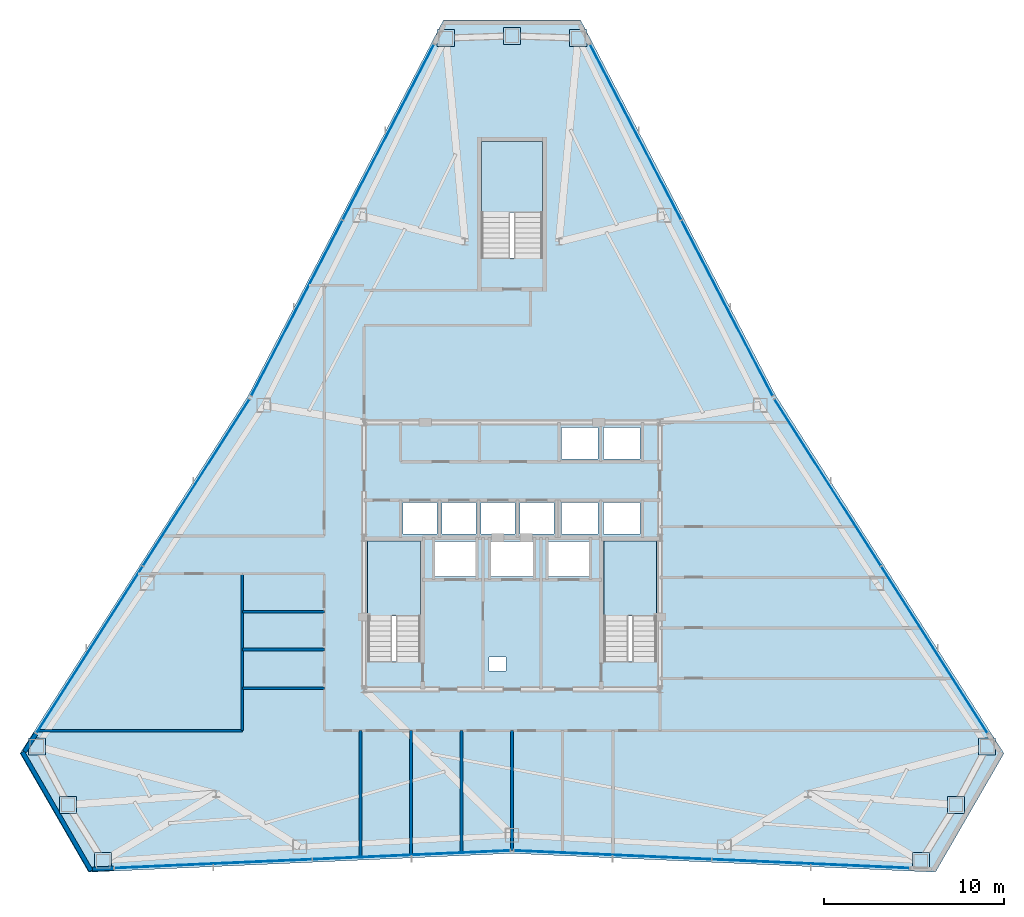
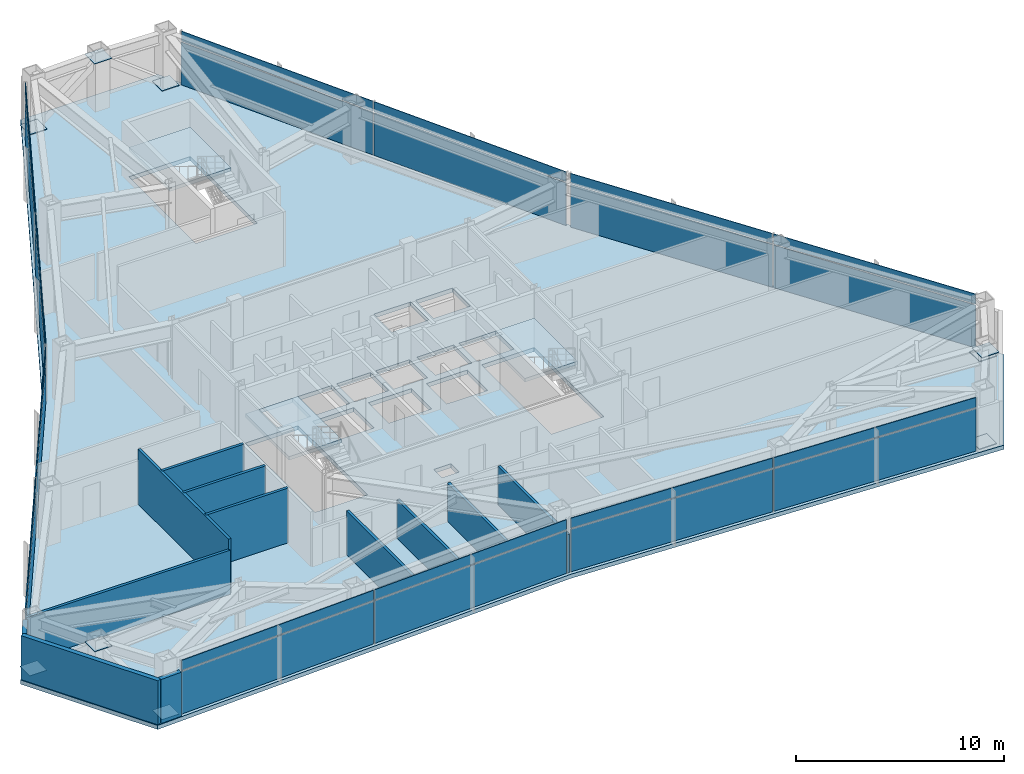
# One storey, part 9 of 13: 33 plates, 12 walls, 4 slabs, 9 elements without a shape of their own.
"""IFC4 building model written with IfcOpenShell, lengths in metres."""

from ifc_helpers import new_model, si_unit, direction, frame, frame_2d, origin, origin_2d, place, context, subcontext, project, spatial, polyline, rectangle, outline, extrude, source, transform, mapped, material, layer, layer_set, type_object, type_shapes, element, aggregate, save


model = new_model("IFC4")

# Units and contexts
model_context = context("Model", 3, precision=1e-05, world=origin(), true_north=direction((0.0, 1.0)))
body_context = subcontext(model_context, "Body", "Model", "MODEL_VIEW")
ifc_project = project(units=[si_unit("LENGTHUNIT", "METRE"), si_unit("AREAUNIT", "SQUARE_METRE"), si_unit("VOLUMEUNIT", "CUBIC_METRE"), si_unit("PLANEANGLEUNIT", "RADIAN"), si_unit("MASSUNIT", "GRAM", prefix="KILO")], contexts=[model_context])

# Site, building, storey
site_placement = place(None, origin())
site = spatial("IfcSite", under=ifc_project, at=site_placement, CompositionType="ELEMENT")
building_placement = place(site_placement, origin())
building = spatial("IfcBuilding", under=site, at=building_placement, Name="Varakhsha Concourse Tower", CompositionType="ELEMENT")
storey_placement = place(building_placement, frame((0.0, 0.0, 182.699951171875)))
storey = spatial("IfcBuildingStorey", under=building, at=storey_placement, Name="L52", CompositionType="ELEMENT", Elevation=182.699951171875)

# Slab
ifc_material_1 = material(Name="Concrete fc 45 MPa", Category="concrete")
ifc_layer_1 = layer(ifc_material_1, 0.239990234375, Name="SL-FLR-240")
ifc_layer_set_1 = layer_set([ifc_layer_1], Name="Concrete fc 45 MPa")
slab_type_1 = type_object("IfcSlabType", Name="SL-FLR-240", PredefinedType="FLOOR", material=ifc_layer_set_1)
slab_1_placement = place(storey_placement, frame((0.0, 0.0, -0.239990234375)))
element("IfcSlab", 1, at=slab_1_placement, inside=storey, type_object=slab_type_1, Name="L52 Composite Structural Slab", PredefinedType="FLOOR", context=body_context, shape_type="SweptSolid", body=[
    extrude(outline(polyline([(43.800048828125, 53.498291015625), (36.199951171875, 53.498291015625), (25.364501953125, 32.649658203125), (12.72705078125, 12.841796875), (16.527099609375, 6.260009765625), (40.0, 7.300537109375), (63.472900390625, 6.260009765625), (67.27294921875, 12.841796875), (54.635498046875, 32.649658203125), (43.800048828125, 53.498291015625)]), holes=[polyline([(34.919921875, 17.93994140625), (34.919921875, 24.6298828125), (32.0, 24.6298828125), (32.0, 17.93994140625), (34.919921875, 17.93994140625)]), polyline([(48.02001953125, 17.93994140625), (48.02001953125, 24.6298828125), (45.10009765625, 24.6298828125), (45.10009765625, 17.93994140625), (48.02001953125, 17.93994140625)]), polyline([(41.699951171875, 40.300048828125), (41.699951171875, 46.75), (38.300048828125, 46.75), (38.300048828125, 40.300048828125), (41.699951171875, 40.300048828125)]), polyline([(33.9599609375, 25.0), (35.840087890625, 25.0), (35.840087890625, 26.739990234375), (33.9599609375, 26.739990234375), (33.9599609375, 25.0)]), polyline([(36.1201171875, 25.0), (38.0, 25.0), (38.0, 26.739990234375), (36.1201171875, 26.739990234375), (36.1201171875, 25.0)]), polyline([(38.280029296875, 25.0), (40.159912109375, 25.0), (40.159912109375, 26.739990234375), (38.280029296875, 26.739990234375), (38.280029296875, 25.0)]), polyline([(40.43994140625, 25.0), (42.320068359375, 25.0), (42.320068359375, 26.739990234375), (40.43994140625, 26.739990234375), (40.43994140625, 25.0)]), polyline([(42.739990234375, 29.159912109375), (44.780029296875, 29.159912109375), (44.780029296875, 30.89990234375), (42.739990234375, 30.89990234375), (42.739990234375, 29.159912109375)]), polyline([(45.06005859375, 29.159912109375), (47.10009765625, 29.159912109375), (47.10009765625, 30.89990234375), (45.06005859375, 30.89990234375), (45.06005859375, 29.159912109375)]), polyline([(42.739990234375, 25.0), (44.780029296875, 25.0), (44.780029296875, 26.739990234375), (42.739990234375, 26.739990234375), (42.739990234375, 25.0)]), polyline([(45.06005859375, 25.0), (47.10009765625, 25.0), (47.10009765625, 26.739990234375), (45.06005859375, 26.739990234375), (45.06005859375, 25.0)]), polyline([(35.7099609375, 22.639892578125), (37.989990234375, 22.639892578125), (37.989990234375, 24.60009765625), (35.7099609375, 24.60009765625), (35.7099609375, 22.639892578125)]), polyline([(42.010009765625, 22.639892578125), (44.2900390625, 22.639892578125), (44.2900390625, 24.60009765625), (42.010009765625, 24.60009765625), (42.010009765625, 22.639892578125)]), polyline([(38.81005859375, 22.639892578125), (41.18994140625, 22.639892578125), (41.18994140625, 24.60009765625), (38.81005859375, 24.60009765625), (38.81005859375, 22.639892578125)]), polyline([(38.719970703125, 17.39990234375), (39.679931640625, 17.39990234375), (39.679931640625, 18.199951171875), (38.719970703125, 18.199951171875), (38.719970703125, 17.39990234375)])]), origin(), (0.0, 0.0, 1.0), 0.239990234375),
])

# Stair, slab
stair_type_1 = type_object("IfcStairType", Name="ST-DOGLEG-1360", PredefinedType="HALF_TURN_STAIR", material=ifc_material_1)
stair_1_placement = place(storey_placement, origin())
stair_1 = element("IfcStair", 2, at=stair_1_placement, inside=storey, type_object=stair_type_1, Name="L52 Protected Exit Stair ST1", PredefinedType="HALF_TURN_STAIR")
ifc_layer_2 = layer(ifc_material_1, 0.199951171875, Name="SL-LAND-200")
ifc_layer_set_2 = layer_set([ifc_layer_2], Name="Concrete fc 45 MPa")
slab_type_2 = type_object("IfcSlabType", Name="SL-LAND-200", PredefinedType="LANDING", material=ifc_layer_set_2)
slab_2_placement = place(storey_placement, frame((0.0, 0.0, 1.525146484375)))
slab_2 = element("IfcSlab", 3, at=slab_2_placement, type_object=slab_type_2, Name="ST1 landing 1", PredefinedType="LANDING", context=body_context, shape_type="SweptSolid", body=[
    extrude(outline(polyline([(34.919921875, 20.4599609375), (34.919921875, 24.6298828125), (32.0, 24.6298828125), (32.0, 20.4599609375), (34.919921875, 20.4599609375)])), origin(), (0.0, 0.0, 1.0), 0.199951171875),
])
aggregate(stair_1, [slab_2])

stair_2_placement = place(storey_placement, origin())
stair_2 = element("IfcStair", 4, at=stair_2_placement, inside=storey, type_object=stair_type_1, Name="L52 Protected Exit Stair ST2", PredefinedType="HALF_TURN_STAIR")
slab_3_placement = place(storey_placement, frame((0.0, 0.0, 1.525146484375)))
slab_3 = element("IfcSlab", 5, at=slab_3_placement, type_object=slab_type_2, Name="ST2 landing 1", PredefinedType="LANDING", context=body_context, shape_type="SweptSolid", body=[
    extrude(outline(polyline([(48.02001953125, 20.4599609375), (48.02001953125, 24.6298828125), (45.10009765625, 24.6298828125), (45.10009765625, 20.4599609375), (48.02001953125, 20.4599609375)])), origin(), (0.0, 0.0, 1.0), 0.199951171875),
])
aggregate(stair_2, [slab_3])

stair_type_2 = type_object("IfcStairType", Name="ST-DOGLEG-1600", PredefinedType="HALF_TURN_STAIR", material=ifc_material_1)
stair_3_placement = place(storey_placement, origin())
stair_3 = element("IfcStair", 6, at=stair_3_placement, inside=storey, type_object=stair_type_2, Name="L52 Protected Exit Stair ST5", PredefinedType="HALF_TURN_STAIR")
slab_4_placement = place(storey_placement, frame((0.0, 0.0, 1.525146484375)))
slab_4 = element("IfcSlab", 7, at=slab_4_placement, type_object=slab_type_2, Name="ST5 landing 1", PredefinedType="LANDING", context=body_context, shape_type="SweptSolid", body=[
    extrude(outline(polyline([(41.699951171875, 42.820068359375), (41.699951171875, 46.75), (38.300048828125, 46.75), (38.300048828125, 42.820068359375), (41.699951171875, 42.820068359375)])), origin(), (0.0, 0.0, 1.0), 0.199951171875),
])
aggregate(stair_3, [slab_4])

# Plates
ifc_material_2 = material(Name="Structural Steel ASTM A572 Grade 50", Category="steel")
ifc_layer_3 = layer(ifc_material_2, 0.030029296875, Name="PL-ENDCAP-950")
ifc_layer_set_3 = layer_set([ifc_layer_3], Name="Structural Steel ASTM A572 Grade 50")
plate_type_1 = type_object("IfcPlateType", Name="PL-ENDCAP-950", PredefinedType="USERDEFINED", material=ifc_layer_set_3)
shared_shape_1 = source(origin(), body_context, "Body", "SweptSolid", [
    extrude(rectangle(XDim=0.949951171875, YDim=0.949951171875, at=origin_2d()), origin(), (0.0, 0.0, 1.0), 0.030029296875),
])
type_shapes(plate_type_1, [shared_shape_1])
for number, where, z_axis, x_axis, name in (
    (8, (43.669921875, 52.49462890625, 0.10498046875), (0.0, 0.0, 1.0), (1.0, 0.0, 0.0), "Hollow Section End Cap GP-NODE-L52-0535"),
    (9, (40.0, 52.6181640625, 2.89501953125), (0.0, 0.0, 1.0), (1.0, 0.0, 0.0), "Hollow Section End Cap GP-NODE-L52-0536"),
    (10, (36.330078125, 52.49462890625, 0.10498046875), (0.0, 0.0, 1.0), (1.0, 0.0, 0.0), "Hollow Section End Cap GP-NODE-L52-0537"),
    (11, (13.6611328125, 13.23095703125, 0.10498046875), (0.0, 0.0, 1.0), (1.0, 0.0, 0.0), "Hollow Section End Cap GP-NODE-L52-0538"),
    (12, (15.38916015625, 9.990966796875, 2.89501953125), (0.0, 0.0, 1.0), (1.0, 0.0, 0.0), "Hollow Section End Cap GP-NODE-L52-0539"),
    (13, (17.3310546875, 6.87451171875, 0.10498046875), (0.0, 0.0, 1.0), (1.0, 0.0, 0.0), "Hollow Section End Cap GP-NODE-L52-0540"),
    (14, (62.6689453125, 6.87451171875, 0.10498046875), (0.0, 0.0, 1.0), (1.0, 0.0, 0.0), "Hollow Section End Cap GP-NODE-L52-0541"),
    (15, (64.61083984375, 9.990966796875, 2.89501953125), (0.0, 0.0, 1.0), (1.0, 0.0, 0.0), "Hollow Section End Cap GP-NODE-L52-0542"),
    (16, (66.3388671875, 13.23095703125, 0.10498046875), (0.0, 0.0, 1.0), (1.0, 0.0, 0.0), "Hollow Section End Cap GP-NODE-L52-0543"),
):
    element("IfcPlate", number, at=place(storey_placement, frame(where, z_axis=z_axis, x_axis=x_axis)), inside=storey, type_object=plate_type_1, Name=name, ObjectType="END PLATE", PredefinedType="USERDEFINED", context=body_context, shape_type="MappedRepresentation", body=[
        mapped(shared_shape_1, transform((0.0, 0.0, 0.0), scale=1.0)),
    ])

# Curtain wall, plates
ifc_material_3 = material(Name="Anodised Bronze Architectural Aluminium AA 6063-T6", Category="aluminium")
ifc_layer_4 = layer(ifc_material_3, 0.2099609375, Name="CW-SYS-04")
ifc_layer_set_4 = layer_set([ifc_layer_4], Name="Anodised Bronze Architectural Aluminium AA 6063-T6")
curtain_wall_type = type_object("IfcCurtainWallType", Name="CW-SYS-04", PredefinedType="NOTDEFINED", material=ifc_layer_set_4)
curtain_wall_1_placement = place(storey_placement, origin())
curtain_wall_1 = element("IfcCurtainWall", 17, at=curtain_wall_1_placement, inside=storey, type_object=curtain_wall_type, Name="L52 Crystal Curtain Wall F2", PredefinedType="NOTDEFINED")
ifc_material_4 = material(Name="Low-E Triple Insulating Glass IGU 44 mm", Category="glass")
ifc_layer_5 = layer(ifc_material_4, 0.0439453125, Name="CWP-IGU-44")
ifc_layer_set_5 = layer_set([ifc_layer_5], Name="Low-E Triple Insulating Glass IGU 44 mm")
plate_type_2 = type_object("IfcPlateType", Name="CWP-IGU-44", PredefinedType="CURTAIN_PANEL", material=ifc_layer_set_5)
shared_shape_2 = source(origin(), body_context, "Body", "SweptSolid", [
    extrude(rectangle(XDim=10.928955078125, YDim=0.0439453125, at=origin_2d()), origin(), (0.0, 0.0, 1.0), 2.49609375),
])
plate_1_placement = place(storey_placement, frame((28.079345703125, 37.5263671875, 0.031982421875), z_axis=(0.0, 0.0, 1.0), x_axis=(0.461155577875, 0.887319295967, 0.0)))
plate_1 = element("IfcPlate", 18, at=plate_1_placement, type_object=plate_type_2, Name="CW-L52-F2 Panel 00-00", PredefinedType="CURTAIN_PANEL", context=body_context, shape_type="MappedRepresentation", body=[
    mapped(shared_shape_2, transform((0.0, 0.0, 0.0), scale=1.0)),
])
plate_2_placement = place(storey_placement, frame((33.151123046875, 47.284912109375, 0.031982421875), z_axis=(0.0, 0.0, 1.0), x_axis=(0.461155577875, 0.887319295967, 0.0)))
plate_2 = element("IfcPlate", 19, at=plate_2_placement, type_object=plate_type_2, Name="CW-L52-F2 Panel 01-00", PredefinedType="CURTAIN_PANEL", context=body_context, shape_type="MappedRepresentation", body=[
    mapped(shared_shape_2, transform((0.0, 0.0, 0.0), scale=1.0)),
])

# Curtain wall, plate
curtain_wall_2_placement = place(storey_placement, origin())
curtain_wall_2 = element("IfcCurtainWall", 20, at=curtain_wall_2_placement, inside=storey, type_object=curtain_wall_type, Name="L52 Crystal Curtain Wall F3", PredefinedType="NOTDEFINED")
plate_3_placement = place(storey_placement, frame((16.583251953125, 18.588623046875, 0.031982421875), z_axis=(0.0, 0.0, 1.0), x_axis=(0.537863262638, 0.84303209352, 0.0)))
plate_3 = element("IfcPlate", 21, at=plate_3_placement, type_object=plate_type_2, Name="CW-L52-F3 Panel 00-00", PredefinedType="CURTAIN_PANEL", context=body_context, shape_type="MappedRepresentation", body=[
    mapped(shared_shape_2, transform((0.0, 0.0, 0.0), scale=1.0)),
])

curtain_wall_3_placement = place(storey_placement, origin())
curtain_wall_3 = element("IfcCurtainWall", 22, at=curtain_wall_3_placement, inside=storey, type_object=curtain_wall_type, Name="L52 Crystal Curtain Wall F5", PredefinedType="NOTDEFINED")
plate_4_placement = place(storey_placement, frame((34.41943359375, 7.21337890625, 0.031982421875), z_axis=(0.0, 0.0, 1.0), x_axis=(-0.999018917807, -0.04428545883, 0.0)))
plate_4 = element("IfcPlate", 23, at=plate_4_placement, type_object=plate_type_2, Name="CW-L52-F5 Panel 00-00", PredefinedType="CURTAIN_PANEL", context=body_context, shape_type="MappedRepresentation", body=[
    mapped(shared_shape_2, transform((0.0, 0.0, 0.0), scale=1.0)),
])

curtain_wall_4_placement = place(storey_placement, origin())
curtain_wall_4 = element("IfcCurtainWall", 24, at=curtain_wall_4_placement, inside=storey, type_object=curtain_wall_type, Name="L52 Crystal Curtain Wall F6", PredefinedType="NOTDEFINED")
plate_5_placement = place(storey_placement, frame((56.56787109375, 6.726318359375, 0.031982421875), z_axis=(0.0, 0.0, 1.0), x_axis=(-0.999018917807, 0.04428545883, 0.0)))
plate_5 = element("IfcPlate", 25, at=plate_5_placement, type_object=plate_type_2, Name="CW-L52-F6 Panel 00-00", PredefinedType="CURTAIN_PANEL", context=body_context, shape_type="MappedRepresentation", body=[
    mapped(shared_shape_2, transform((0.0, 0.0, 0.0), scale=1.0)),
])

curtain_wall_5_placement = place(storey_placement, origin())
curtain_wall_5 = element("IfcCurtainWall", 26, at=curtain_wall_5_placement, inside=storey, type_object=curtain_wall_type, Name="L52 Crystal Curtain Wall F8", PredefinedType="NOTDEFINED")
plate_6_placement = place(storey_placement, frame((57.501220703125, 27.8603515625, 0.031982421875), z_axis=(0.0, 0.0, 1.0), x_axis=(0.537863262638, -0.84303209352, 0.0)))
plate_6 = element("IfcPlate", 27, at=plate_6_placement, type_object=plate_type_2, Name="CW-L52-F8 Panel 00-00", PredefinedType="CURTAIN_PANEL", context=body_context, shape_type="MappedRepresentation", body=[
    mapped(shared_shape_2, transform((0.0, 0.0, 0.0), scale=1.0)),
])

# Curtain wall, plates
curtain_wall_6_placement = place(storey_placement, origin())
curtain_wall_6 = element("IfcCurtainWall", 28, at=curtain_wall_6_placement, inside=storey, type_object=curtain_wall_type, Name="L52 Crystal Curtain Wall F9", PredefinedType="NOTDEFINED")
plate_7_placement = place(storey_placement, frame((46.848876953125, 47.284912109375, 0.031982421875), z_axis=(0.0, 0.0, 1.0), x_axis=(0.461155577875, -0.887319295967, 0.0)))
plate_7 = element("IfcPlate", 29, at=plate_7_placement, type_object=plate_type_2, Name="CW-L52-F9 Panel 00-00", PredefinedType="CURTAIN_PANEL", context=body_context, shape_type="MappedRepresentation", body=[
    mapped(shared_shape_2, transform((0.0, 0.0, 0.0), scale=1.0)),
])
plate_8_placement = place(storey_placement, frame((51.920654296875, 37.5263671875, 0.031982421875), z_axis=(0.0, 0.0, 1.0), x_axis=(0.461155577875, -0.887319295967, 0.0)))
plate_8 = element("IfcPlate", 30, at=plate_8_placement, type_object=plate_type_2, Name="CW-L52-F9 Panel 01-00", PredefinedType="CURTAIN_PANEL", context=body_context, shape_type="MappedRepresentation", body=[
    mapped(shared_shape_2, transform((0.0, 0.0, 0.0), scale=1.0)),
])

# Plate
ifc_material_5 = material(Name="Insulated Anodised Bronze Aluminium Spandrel 36 mm", Category="aluminium")
ifc_layer_6 = layer(ifc_material_5, 0.035888671875, Name="CWP-SPN-36")
ifc_layer_set_6 = layer_set([ifc_layer_6], Name="Insulated Anodised Bronze Aluminium Spandrel 36 mm")
plate_type_3 = type_object("IfcPlateType", Name="CWP-SPN-36", PredefinedType="USERDEFINED", material=ifc_layer_set_6)
shared_shape_3 = source(origin(), body_context, "Body", "SweptSolid", [
    extrude(rectangle(XDim=10.928955078125, YDim=0.035888671875, at=origin_2d()), origin(), (0.0, 0.0, 1.0), 0.5859375),
])
plate_9_placement = place(storey_placement, frame((28.079345703125, 37.5263671875, 2.592041015625), z_axis=(0.0, 0.0, 1.0), x_axis=(0.461155577875, 0.887319295967, 0.0)))
plate_9 = element("IfcPlate", 31, at=plate_9_placement, type_object=plate_type_3, Name="CW-L52-F2 Panel 00-01", ObjectType="SPANDREL", PredefinedType="USERDEFINED", context=body_context, shape_type="MappedRepresentation", body=[
    mapped(shared_shape_3, transform((0.0, 0.0, 0.0), scale=1.0)),
])

plate_10_placement = place(storey_placement, frame((33.151123046875, 47.284912109375, 2.592041015625), z_axis=(0.0, 0.0, 1.0), x_axis=(0.461155577875, 0.887319295967, 0.0)))
plate_10 = element("IfcPlate", 32, at=plate_10_placement, type_object=plate_type_3, Name="CW-L52-F2 Panel 01-01", ObjectType="SPANDREL", PredefinedType="USERDEFINED", context=body_context, shape_type="MappedRepresentation", body=[
    mapped(shared_shape_3, transform((0.0, 0.0, 0.0), scale=1.0)),
])

aggregate(curtain_wall_1, [plate_1, plate_9, plate_2, plate_10])

plate_11_placement = place(storey_placement, frame((16.583251953125, 18.588623046875, 2.592041015625), z_axis=(0.0, 0.0, 1.0), x_axis=(0.537863262638, 0.84303209352, 0.0)))
plate_11 = element("IfcPlate", 33, at=plate_11_placement, type_object=plate_type_3, Name="CW-L52-F3 Panel 00-01", ObjectType="SPANDREL", PredefinedType="USERDEFINED", context=body_context, shape_type="MappedRepresentation", body=[
    mapped(shared_shape_3, transform((0.0, 0.0, 0.0), scale=1.0)),
])

plate_12_placement = place(storey_placement, frame((34.41943359375, 7.21337890625, 2.592041015625), z_axis=(0.0, 0.0, 1.0), x_axis=(-0.999018917807, -0.04428545883, 0.0)))
plate_12 = element("IfcPlate", 34, at=plate_12_placement, type_object=plate_type_3, Name="CW-L52-F5 Panel 00-01", ObjectType="SPANDREL", PredefinedType="USERDEFINED", context=body_context, shape_type="MappedRepresentation", body=[
    mapped(shared_shape_3, transform((0.0, 0.0, 0.0), scale=1.0)),
])

plate_13_placement = place(storey_placement, frame((56.56787109375, 6.726318359375, 2.592041015625), z_axis=(0.0, 0.0, 1.0), x_axis=(-0.999018917807, 0.04428545883, 0.0)))
plate_13 = element("IfcPlate", 35, at=plate_13_placement, type_object=plate_type_3, Name="CW-L52-F6 Panel 00-01", ObjectType="SPANDREL", PredefinedType="USERDEFINED", context=body_context, shape_type="MappedRepresentation", body=[
    mapped(shared_shape_3, transform((0.0, 0.0, 0.0), scale=1.0)),
])

plate_14_placement = place(storey_placement, frame((57.501220703125, 27.8603515625, 2.592041015625), z_axis=(0.0, 0.0, 1.0), x_axis=(0.537863262638, -0.84303209352, 0.0)))
plate_14 = element("IfcPlate", 36, at=plate_14_placement, type_object=plate_type_3, Name="CW-L52-F8 Panel 00-01", ObjectType="SPANDREL", PredefinedType="USERDEFINED", context=body_context, shape_type="MappedRepresentation", body=[
    mapped(shared_shape_3, transform((0.0, 0.0, 0.0), scale=1.0)),
])

plate_15_placement = place(storey_placement, frame((46.848876953125, 47.284912109375, 2.592041015625), z_axis=(0.0, 0.0, 1.0), x_axis=(0.461155577875, -0.887319295967, 0.0)))
plate_15 = element("IfcPlate", 37, at=plate_15_placement, type_object=plate_type_3, Name="CW-L52-F9 Panel 00-01", ObjectType="SPANDREL", PredefinedType="USERDEFINED", context=body_context, shape_type="MappedRepresentation", body=[
    mapped(shared_shape_3, transform((0.0, 0.0, 0.0), scale=1.0)),
])

plate_16_placement = place(storey_placement, frame((51.920654296875, 37.5263671875, 2.592041015625), z_axis=(0.0, 0.0, 1.0), x_axis=(0.461155577875, -0.887319295967, 0.0)))
plate_16 = element("IfcPlate", 38, at=plate_16_placement, type_object=plate_type_3, Name="CW-L52-F9 Panel 01-01", ObjectType="SPANDREL", PredefinedType="USERDEFINED", context=body_context, shape_type="MappedRepresentation", body=[
    mapped(shared_shape_3, transform((0.0, 0.0, 0.0), scale=1.0)),
])

aggregate(curtain_wall_6, [plate_7, plate_15, plate_8, plate_16])

shared_shape_4 = source(origin(), body_context, "Body", "SweptSolid", [
    extrude(rectangle(XDim=10.92919921875, YDim=0.0439453125, at=origin_2d()), origin(), (0.0, 0.0, 1.0), 2.49609375),
])
type_shapes(plate_type_2, [shared_shape_2, shared_shape_4])
plate_17_placement = place(storey_placement, frame((22.498779296875, 27.8603515625, 0.031982421875), z_axis=(0.0, 0.0, 1.0), x_axis=(0.537863262638, 0.84303209352, 0.0)))
plate_17 = element("IfcPlate", 39, at=plate_17_placement, type_object=plate_type_2, Name="CW-L52-F3 Panel 01-00", PredefinedType="CURTAIN_PANEL", context=body_context, shape_type="MappedRepresentation", body=[
    mapped(shared_shape_4, transform((0.0, 0.0, 0.0), scale=1.0)),
])

plate_18_placement = place(storey_placement, frame((23.43212890625, 6.726318359375, 0.031982421875), z_axis=(0.0, 0.0, 1.0), x_axis=(-0.999018917807, -0.04428545883, 0.0)))
plate_18 = element("IfcPlate", 40, at=plate_18_placement, type_object=plate_type_2, Name="CW-L52-F5 Panel 01-00", PredefinedType="CURTAIN_PANEL", context=body_context, shape_type="MappedRepresentation", body=[
    mapped(shared_shape_4, transform((0.0, 0.0, 0.0), scale=1.0)),
])

plate_19_placement = place(storey_placement, frame((45.58056640625, 7.21337890625, 0.031982421875), z_axis=(0.0, 0.0, 1.0), x_axis=(-0.999018917807, 0.04428545883, 0.0)))
plate_19 = element("IfcPlate", 41, at=plate_19_placement, type_object=plate_type_2, Name="CW-L52-F6 Panel 01-00", PredefinedType="CURTAIN_PANEL", context=body_context, shape_type="MappedRepresentation", body=[
    mapped(shared_shape_4, transform((0.0, 0.0, 0.0), scale=1.0)),
])

plate_20_placement = place(storey_placement, frame((63.416748046875, 18.588623046875, 0.031982421875), z_axis=(0.0, 0.0, 1.0), x_axis=(0.537863262638, -0.84303209352, 0.0)))
plate_20 = element("IfcPlate", 42, at=plate_20_placement, type_object=plate_type_2, Name="CW-L52-F8 Panel 01-00", PredefinedType="CURTAIN_PANEL", context=body_context, shape_type="MappedRepresentation", body=[
    mapped(shared_shape_4, transform((0.0, 0.0, 0.0), scale=1.0)),
])

shared_shape_5 = source(origin(), body_context, "Body", "SweptSolid", [
    extrude(rectangle(XDim=10.92919921875, YDim=0.035888671875, at=origin_2d()), origin(), (0.0, 0.0, 1.0), 0.5859375),
])
type_shapes(plate_type_3, [shared_shape_3, shared_shape_5])
plate_21_placement = place(storey_placement, frame((22.498779296875, 27.8603515625, 2.592041015625), z_axis=(0.0, 0.0, 1.0), x_axis=(0.537863262638, 0.84303209352, 0.0)))
plate_21 = element("IfcPlate", 43, at=plate_21_placement, type_object=plate_type_3, Name="CW-L52-F3 Panel 01-01", ObjectType="SPANDREL", PredefinedType="USERDEFINED", context=body_context, shape_type="MappedRepresentation", body=[
    mapped(shared_shape_5, transform((0.0, 0.0, 0.0), scale=1.0)),
])

aggregate(curtain_wall_2, [plate_3, plate_11, plate_17, plate_21])

plate_22_placement = place(storey_placement, frame((23.43212890625, 6.726318359375, 2.592041015625), z_axis=(0.0, 0.0, 1.0), x_axis=(-0.999018917807, -0.04428545883, 0.0)))
plate_22 = element("IfcPlate", 44, at=plate_22_placement, type_object=plate_type_3, Name="CW-L52-F5 Panel 01-01", ObjectType="SPANDREL", PredefinedType="USERDEFINED", context=body_context, shape_type="MappedRepresentation", body=[
    mapped(shared_shape_5, transform((0.0, 0.0, 0.0), scale=1.0)),
])

aggregate(curtain_wall_3, [plate_4, plate_12, plate_18, plate_22])

plate_23_placement = place(storey_placement, frame((45.58056640625, 7.21337890625, 2.592041015625), z_axis=(0.0, 0.0, 1.0), x_axis=(-0.999018917807, 0.04428545883, 0.0)))
plate_23 = element("IfcPlate", 45, at=plate_23_placement, type_object=plate_type_3, Name="CW-L52-F6 Panel 01-01", ObjectType="SPANDREL", PredefinedType="USERDEFINED", context=body_context, shape_type="MappedRepresentation", body=[
    mapped(shared_shape_5, transform((0.0, 0.0, 0.0), scale=1.0)),
])

aggregate(curtain_wall_4, [plate_5, plate_13, plate_19, plate_23])

plate_24_placement = place(storey_placement, frame((63.416748046875, 18.588623046875, 2.592041015625), z_axis=(0.0, 0.0, 1.0), x_axis=(0.537863262638, -0.84303209352, 0.0)))
plate_24 = element("IfcPlate", 46, at=plate_24_placement, type_object=plate_type_3, Name="CW-L52-F8 Panel 01-01", ObjectType="SPANDREL", PredefinedType="USERDEFINED", context=body_context, shape_type="MappedRepresentation", body=[
    mapped(shared_shape_5, transform((0.0, 0.0, 0.0), scale=1.0)),
])

aggregate(curtain_wall_5, [plate_6, plate_14, plate_20, plate_24])

# Walls
ifc_layer_7 = layer(ifc_material_1, 0.239990234375, Name="WL-EXT-CRN-240")
ifc_layer_set_7 = layer_set([ifc_layer_7], Name="Concrete fc 45 MPa")
wall_type_1 = type_object("IfcWallType", Name="WL-EXT-CRN-240", PredefinedType="SHEAR", material=ifc_layer_set_7)
wall_1_placement = place(storey_placement, frame((13.608154296875, 13.92529296875, 0.0), z_axis=(0.0, 0.0, 1.0), x_axis=(-0.537890013748, -0.843015025435, 0.0)))
element("IfcWall", 47, at=wall_1_placement, inside=storey, type_object=wall_type_1, Name="L52 Wind-Corner Shoulder Wall F3", PredefinedType="SHEAR", context=body_context, shape_type="SweptSolid", body=[
    extrude(rectangle(XDim=1.16748046875, YDim=0.239990234375, at=frame_2d((0.583740234375, 0.0))), origin(), (0.0, 0.0, 1.0), 2.5830078125),
])
wall_2_placement = place(storey_placement, frame((16.66552734375, 6.340087890625, 0.0), z_axis=(0.0, 0.0, 1.0), x_axis=(-0.500005158081, 0.866022425744, 0.0)))
element("IfcWall", 48, at=wall_2_placement, inside=storey, type_object=wall_type_1, Name="L52 Chamfer Wind-Corner Insulated Wall F4", PredefinedType="SHEAR", context=body_context, shape_type="SweptSolid", body=[
    extrude(rectangle(XDim=7.60009765625, YDim=0.239990234375, at=frame_2d((3.800048828125, 0.0))), origin(), (0.0, 0.0, 1.0), 2.5830078125),
])
wall_3_placement = place(storey_placement, frame((16.73974609375, 6.4296875, 0.0), z_axis=(0.0, 0.0, 1.0), x_axis=(0.999025931447, 0.04412695657, 0.0)))
element("IfcWall", 49, at=wall_3_placement, inside=storey, type_object=wall_type_1, Name="L52 Wind-Corner Shoulder Wall F5", PredefinedType="SHEAR", context=body_context, shape_type="SweptSolid", body=[
    extrude(rectangle(XDim=1.16748046875, YDim=0.239990234375, at=frame_2d((0.583740234375, 0.0))), origin(), (0.0, 0.0, 1.0), 2.5830078125),
])
ifc_material_6 = material(Name="Fire-Rated Type X Gypsum Partition Assembly", Category="gypsum")
ifc_layer_8 = layer(ifc_material_6, 0.14990234375, Name="WL-PART-150")
ifc_layer_set_8 = layer_set([ifc_layer_8], Name="Fire-Rated Type X Gypsum Partition Assembly")
wall_type_2 = type_object("IfcWallType", Name="WL-PART-150", PredefinedType="PARTITIONING", material=ifc_layer_set_8)
wall_4_placement = place(storey_placement, frame((25.050048828125, 14.10009765625, 0.0), z_axis=(0.0, 0.0, 1.0), x_axis=(0.0, 1.0, 0.0)))
element("IfcWall", 50, at=wall_4_placement, inside=storey, type_object=wall_type_2, Name="L52 Wall C2WC-W-L52", PredefinedType="PARTITIONING", context=body_context, shape_type="SweptSolid", body=[
    extrude(rectangle(XDim=8.699951171875, YDim=0.14990234375, at=frame_2d((4.35009765625, 0.0))), origin(), (0.0, 0.0, 1.0), 3.2099609375),
])
for number, where, z_axis, x_axis, name in (
    (51, (25.050048828125, 16.449951171875, 0.0), (0.0, 0.0, 1.0), (1.0, 0.0, 0.0), "L52 Wall C2WC-S-L52"),
    (52, (25.050048828125, 18.60009765625, 0.0), (0.0, 0.0, 1.0), (1.0, 0.0, 0.0), "L52 Wall C2WC-D1-L52"),
    (53, (25.050048828125, 20.699951171875, 0.0), (0.0, 0.0, 1.0), (1.0, 0.0, 0.0), "L52 Wall C2WC-D2-L52"),
):
    element("IfcWall", number, at=place(storey_placement, frame(where, z_axis=z_axis, x_axis=x_axis)), inside=storey, type_object=wall_type_2, Name=name, PredefinedType="PARTITIONING", context=body_context, shape_type="SweptSolid", body=[
        extrude(rectangle(XDim=4.550048828125, YDim=0.14990234375, at=frame_2d((2.27490234375, 0.0))), origin(), (0.0, 0.0, 1.0), 3.2099609375),
    ])
wall_5_placement = place(storey_placement, frame((31.60009765625, 7.09326171875, 0.0), z_axis=(0.0, 0.0, 1.0), x_axis=(0.0, 1.0, 0.0)))
element("IfcWall", 54, at=wall_5_placement, inside=storey, type_object=wall_type_2, Name="L52 Wall ODIV-S1-L52", PredefinedType="PARTITIONING", context=body_context, shape_type="SweptSolid", body=[
    extrude(rectangle(XDim=7.0068359375, YDim=0.14990234375, at=frame_2d((3.50341796875, 0.0))), origin(), (0.0, 0.0, 1.0), 2.589111328125),
])
wall_6_placement = place(storey_placement, frame((34.39990234375, 7.21728515625, 0.0), z_axis=(0.0, 0.0, 1.0), x_axis=(0.0, 1.0, 0.0)))
element("IfcWall", 55, at=wall_6_placement, inside=storey, type_object=wall_type_2, Name="L52 Wall ODIV-S2-L52", PredefinedType="PARTITIONING", context=body_context, shape_type="SweptSolid", body=[
    extrude(rectangle(XDim=6.8828125, YDim=0.14990234375, at=frame_2d((3.44140625, 0.0))), origin(), (0.0, 0.0, 1.0), 2.251953125),
])
wall_7_placement = place(storey_placement, frame((37.199951171875, 7.341552734375, 0.0), z_axis=(0.0, 0.0, 1.0), x_axis=(0.0, 1.0, 0.0)))
element("IfcWall", 56, at=wall_7_placement, inside=storey, type_object=wall_type_2, Name="L52 Wall ODIV-S3-L52", PredefinedType="PARTITIONING", context=body_context, shape_type="SweptSolid", body=[
    extrude(rectangle(XDim=6.758544921875, YDim=0.14990234375, at=frame_2d((3.37939453125, 0.0))), origin(), (0.0, 0.0, 1.0), 2.251953125),
])
wall_8_placement = place(storey_placement, frame((40.0, 7.46533203125, 0.0), z_axis=(0.0, 0.0, 1.0), x_axis=(0.0, 1.0, 0.0)))
element("IfcWall", 57, at=wall_8_placement, inside=storey, type_object=wall_type_2, Name="L52 Wall ODIV-S4-L52", PredefinedType="PARTITIONING", context=body_context, shape_type="SweptSolid", body=[
    extrude(rectangle(XDim=6.634765625, YDim=0.14990234375, at=frame_2d((3.3173828125, 0.0))), origin(), (0.0, 0.0, 1.0), 2.251953125),
])
wall_9_placement = place(storey_placement, frame((13.7255859375, 14.10009765625, 0.0), z_axis=(0.0, 0.0, 1.0), x_axis=(1.0, 0.0, 0.0)))
element("IfcWall", 58, at=wall_9_placement, inside=storey, type_object=wall_type_2, Name="L52 Wall ODIV-SWB-L52", PredefinedType="PARTITIONING", context=body_context, shape_type="SweptSolid", body=[
    extrude(rectangle(XDim=11.324462890625, YDim=0.14990234375, at=frame_2d((5.662109375, 0.0))), origin(), (0.0, 0.0, 1.0), 2.589111328125),
])

save(model, "model.ifc")
